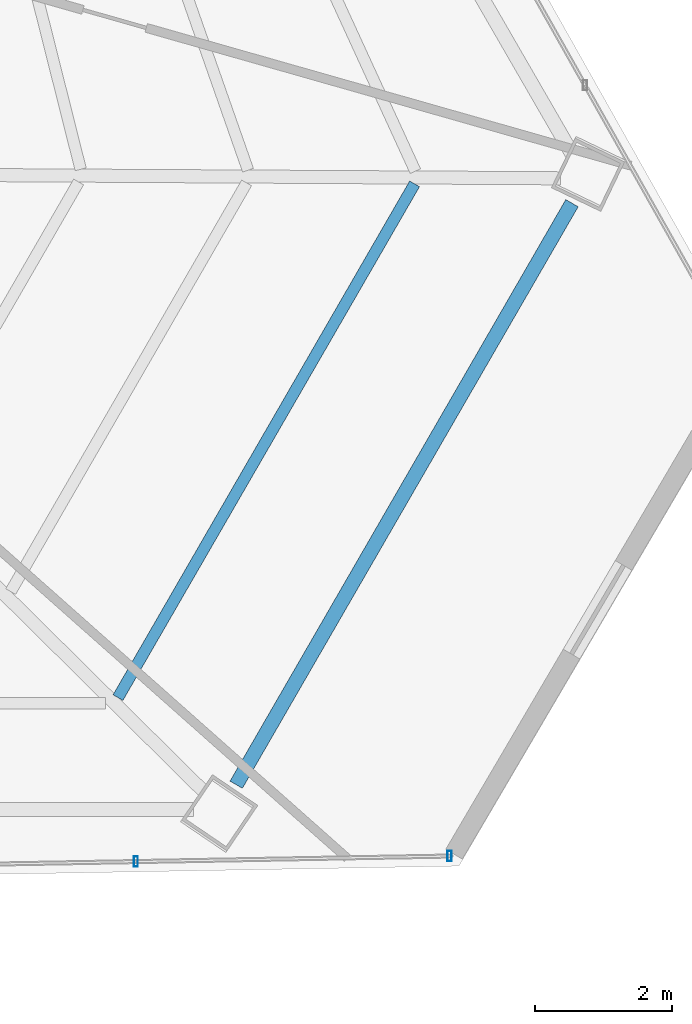
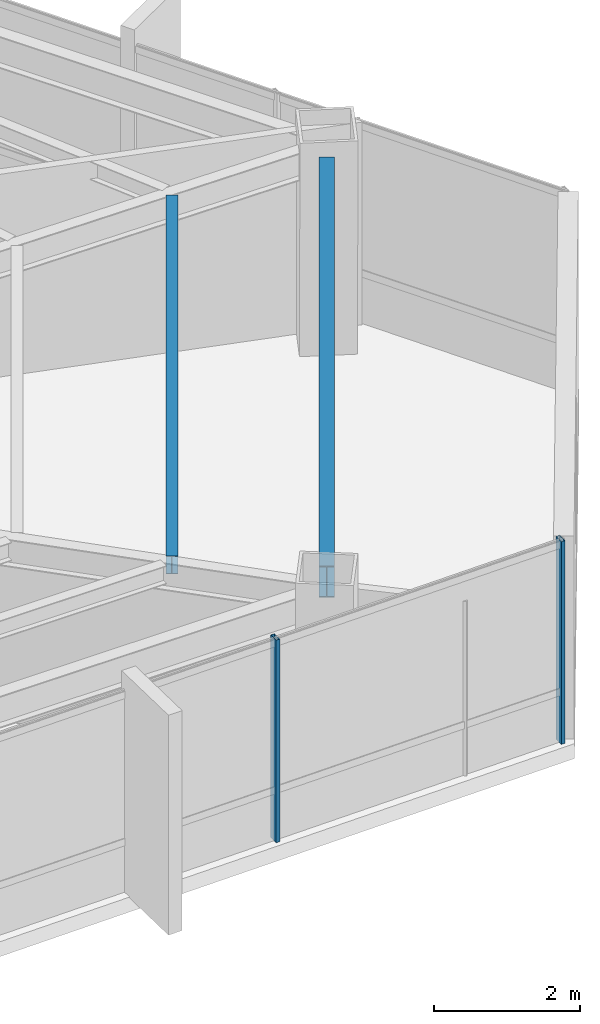
# One storey, part 20 of 42: 2 beams, 2 members, 1 element without a shape of its own.
"""IFC4 building model written with IfcOpenShell, lengths in metres."""

from ifc_helpers import new_model, si_unit, direction, frame, origin, origin_2d, place, context, subcontext, project, spatial, hollow_rectangle, i_section, extrude, source, transform, mapped, material, material_profile, profile_set, type_object, type_shapes, element, aggregate, save


model = new_model("IFC4")

# Units and contexts
model_context = context("Model", 3, precision=1e-05, world=origin(), true_north=direction((0.0, 1.0)))
body_context = subcontext(model_context, "Body", "Model", "MODEL_VIEW")
ifc_project = project(units=[si_unit("LENGTHUNIT", "METRE"), si_unit("AREAUNIT", "SQUARE_METRE"), si_unit("VOLUMEUNIT", "CUBIC_METRE"), si_unit("PLANEANGLEUNIT", "RADIAN"), si_unit("MASSUNIT", "GRAM", prefix="KILO")], contexts=[model_context])

# Site, building, storey
site_placement = place(None, origin())
site = spatial("IfcSite", under=ifc_project, at=site_placement, CompositionType="ELEMENT")
building_placement = place(site_placement, origin())
building = spatial("IfcBuilding", under=site, at=building_placement, Name="Caelisora Broadcast Tower", CompositionType="ELEMENT")
storey_placement = place(building_placement, frame((0.0, 0.0, 191.35009765625)))
storey = spatial("IfcBuildingStorey", under=building, at=storey_placement, Name="L50", CompositionType="ELEMENT", Elevation=191.35009765625)

# Beams
ifc_material_1 = material(Name="Steel Grade 350 (AS/NZS 3679.1)", Category="steel")
ifc_material_profile_1 = material_profile(ifc_material_1, i_section(OverallWidth=0.208984375, OverallDepth=0.532958984375, WebThickness=0.01025390625, FlangeThickness=0.015625, at=origin_2d()), Name="Steel Grade 350 (AS/NZS 3679.1)")
ifc_profile_set_1 = profile_set([ifc_material_profile_1], Name="Steel Grade 350 (AS/NZS 3679.1)")
beam_type_1 = type_object("IfcBeamType", Name="PG05", PredefinedType="BEAM", material=ifc_profile_set_1)
shared_shape_1 = source(origin(), body_context, "Body", "SweptSolid", [
    extrude(i_section(OverallWidth=0.208984375, OverallDepth=0.532958984375, WebThickness=0.01025390625, FlangeThickness=0.015625, at=origin_2d()), origin(), (0.0, 0.0, 1.0), 9.793212890625),
])
type_shapes(beam_type_1, [shared_shape_1])
beam_1_placement = place(storey_placement, frame((55.094970703125, 8.47607421875, 3.13330078125), z_axis=(0.500008020972, 0.866020772825, 0.0), x_axis=(-0.866020772825, 0.500008020972, 0.0)))
element("IfcBeam", 1, at=beam_1_placement, inside=storey, type_object=beam_type_1, Name="L50 beam PG05", PredefinedType="BEAM", context=body_context, shape_type="MappedRepresentation", body=[
    mapped(shared_shape_1, transform((0.0, 0.0, 0.0), scale=1.0)),
])
ifc_material_profile_2 = material_profile(ifc_material_1, i_section(OverallWidth=0.166015625, OverallDepth=0.30712890625, WebThickness=0.006591796875, FlangeThickness=0.01171875, at=origin_2d()), Name="Steel Grade 350 (AS/NZS 3679.1)")
ifc_profile_set_2 = profile_set([ifc_material_profile_2], Name="Steel Grade 350 (AS/NZS 3679.1)")
beam_type_2 = type_object("IfcBeamType", Name="SB03", PredefinedType="JOIST", material=ifc_profile_set_2)
shared_shape_2 = source(origin(), body_context, "Body", "SweptSolid", [
    extrude(i_section(OverallWidth=0.166015625, OverallDepth=0.30712890625, WebThickness=0.006591796875, FlangeThickness=0.01171875, at=origin_2d()), origin(), (0.0, 0.0, 1.0), 8.65185546875),
])
type_shapes(beam_type_2, [shared_shape_2])
beam_2_placement = place(storey_placement, frame((53.370361328125, 9.74609375, 3.246337890625), z_axis=(0.500002544707, 0.866023934592, 0.0), x_axis=(-0.866023934592, 0.500002544707, 0.0)))
element("IfcBeam", 2, at=beam_2_placement, inside=storey, type_object=beam_type_2, Name="L50 beam SB03", PredefinedType="JOIST", context=body_context, shape_type="MappedRepresentation", body=[
    mapped(shared_shape_2, transform((0.0, 0.0, 0.0), scale=1.0)),
])

# Curtain wall, members
ifc_material_2 = material(Name="Unitised Aluminium and Low-E Glass Curtain Wall", Category="glass")
curtain_wall_type = type_object("IfcCurtainWallType", Name="CW-Z4", PredefinedType="NOTDEFINED", material=ifc_material_2)
curtain_wall_placement = place(storey_placement, origin())
curtain_wall = element("IfcCurtainWall", 3, at=curtain_wall_placement, inside=storey, type_object=curtain_wall_type, Name="L50 curtain wall CW-Z4", PredefinedType="NOTDEFINED")
ifc_material_3 = material(Name="Aluminium 6063-T6 Anodised Terracotta Bronze", Category="aluminium")
ifc_material_profile_3 = material_profile(ifc_material_3, hollow_rectangle(XDim=0.06005859375, YDim=0.14990234375, WallThickness=0.00341796875, at=origin_2d()), Name="Aluminium 6063-T6 Anodised Terracotta Bronze")
ifc_profile_set_3 = profile_set([ifc_material_profile_3], Name="Aluminium 6063-T6 Anodised Terracotta Bronze")
member_type = type_object("IfcMemberType", Name="CWM-03", PredefinedType="MULLION", material=ifc_profile_set_3)
shared_shape_3 = source(origin(), body_context, "Body", "SweptSolid", [
    extrude(hollow_rectangle(XDim=0.06005859375, YDim=0.14990234375, WallThickness=0.00341796875, at=origin_2d()), origin(), (0.0, 0.0, 1.0), 3.39990234375),
])
type_shapes(member_type, [shared_shape_3])
member_1_placement = place(storey_placement, frame((58.2060546875, 7.43603515625, 0.0), z_axis=(0.0, 0.0, 1.0), x_axis=(1.0, 0.0, 0.0)))
member_1 = element("IfcMember", 4, at=member_1_placement, type_object=member_type, Name="L50-CW-B05 mullion #0", PredefinedType="MULLION", context=body_context, shape_type="MappedRepresentation", body=[
    mapped(shared_shape_3, transform((0.0, 0.0, 0.0), scale=1.0)),
])
member_2_placement = place(storey_placement, frame((53.631591796875, 7.355224609375, 0.0), z_axis=(0.0, 0.0, 1.0), x_axis=(1.0, 0.0, 0.0)))
member_2 = element("IfcMember", 5, at=member_2_placement, type_object=member_type, Name="L50-CW-B05 mullion #1", PredefinedType="MULLION", context=body_context, shape_type="MappedRepresentation", body=[
    mapped(shared_shape_3, transform((0.0, 0.0, 0.0), scale=1.0)),
])
aggregate(curtain_wall, [member_1, member_2])

save(model, "model.ifc")
